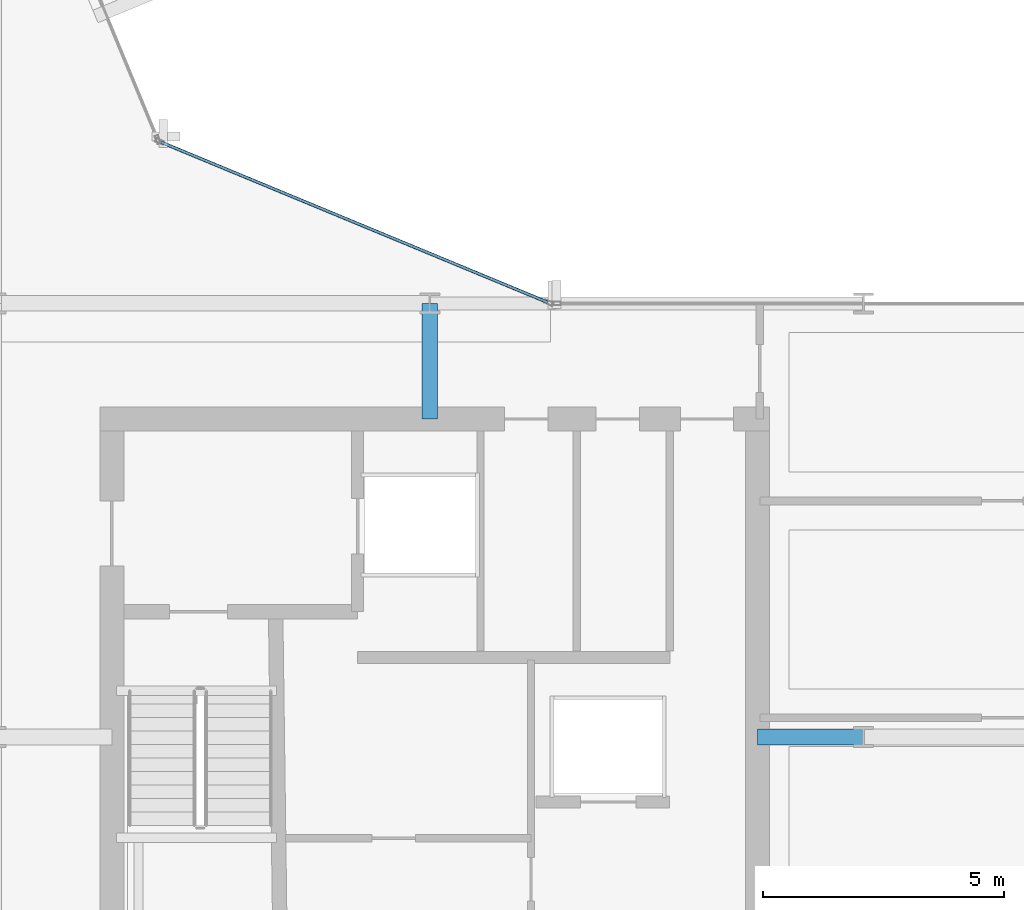
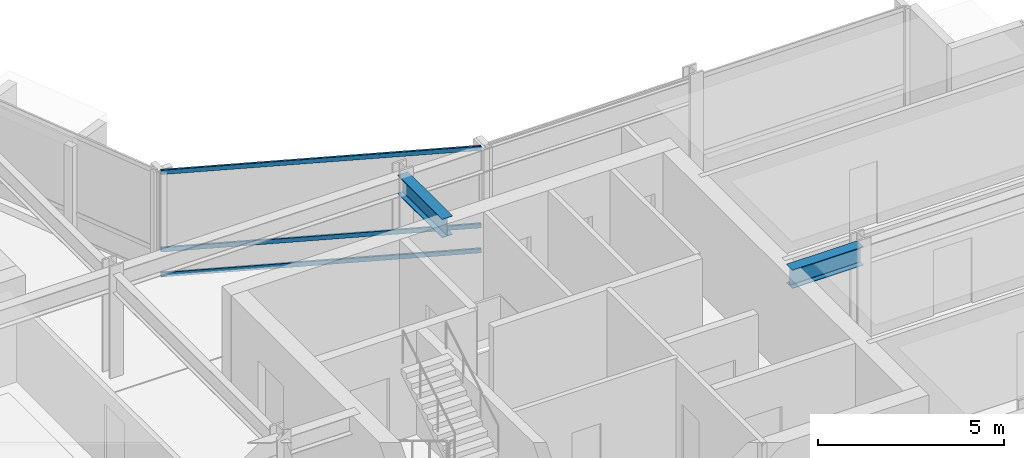
# One storey, part 12 of 29: 3 members, 2 beams, 1 element without a shape of its own.
"""IFC4 building model written with IfcOpenShell, lengths in metres."""

from ifc_helpers import new_model, si_unit, direction, frame, origin, origin_2d, place, context, subcontext, project, spatial, hollow_rectangle, i_section, extrude, material, layer, layer_set, material_profile, profile_set, type_object, element, aggregate, save


model = new_model("IFC4")

# Units and contexts
model_context = context("Model", 3, precision=1e-05, world=origin(), true_north=direction((0.0, 1.0)))
body_context = subcontext(model_context, "Body", "Model", "MODEL_VIEW")
ifc_project = project(units=[si_unit("LENGTHUNIT", "METRE"), si_unit("AREAUNIT", "SQUARE_METRE"), si_unit("VOLUMEUNIT", "CUBIC_METRE"), si_unit("PLANEANGLEUNIT", "RADIAN"), si_unit("MASSUNIT", "GRAM", prefix="KILO")], contexts=[model_context])

# Site, building, storey
site_placement = place(None, origin())
site = spatial("IfcSite", under=ifc_project, at=site_placement, CompositionType="ELEMENT")
building_placement = place(site_placement, origin())
building = spatial("IfcBuilding", under=site, at=building_placement, Name="Solvaryn Broadcast Tower", CompositionType="ELEMENT")
storey_placement = place(building_placement, frame((0.0, 0.0, 143.300048828125)))
storey = spatial("IfcBuildingStorey", under=building, at=storey_placement, Name="L35", CompositionType="ELEMENT", Elevation=143.300048828125)

# Beams
ifc_material_1 = material(Name="Steel ASTM A992 Grade 50", Category="steel")
ifc_material_profile_1 = material_profile(ifc_material_1, i_section(OverallWidth=0.323974609375, OverallDepth=0.611083984375, WebThickness=0.0126953125, FlangeThickness=0.01904296875, FilletRadius=0.014892578125, at=origin_2d()))
ifc_profile_set_1 = profile_set([ifc_material_profile_1], Name="Steel ASTM A992 Grade 50")
beam_type = type_object("IfcBeamType", Name="BM-B1-W24X104", PredefinedType="BEAM", material=ifc_profile_set_1)
beam_1_placement = place(storey_placement, frame((36.0, 24.60009765625, 3.114501953125), z_axis=(0.0, 1.0, 0.0), x_axis=(-1.0, 0.0, 0.0)))
element("IfcBeam", 1, at=beam_1_placement, inside=storey, type_object=beam_type, Name="L35 Core Tie Beam CTE2", PredefinedType="BEAM", context=body_context, shape_type="SweptSolid", body=[
    extrude(i_section(OverallWidth=0.323974609375, OverallDepth=0.611083984375, WebThickness=0.0126953125, FlangeThickness=0.01904296875, FilletRadius=0.014892578125, at=origin_2d()), origin(), (0.0, 0.0, 1.0), 2.39990234375),
])
beam_2_placement = place(storey_placement, frame((42.800048828125, 18.0, 3.114501953125), z_axis=(1.0, 0.0, 0.0), x_axis=(0.0, 1.0, 0.0)))
element("IfcBeam", 2, at=beam_2_placement, inside=storey, type_object=beam_type, Name="L35 Core Tie Beam CTE3", PredefinedType="BEAM", context=body_context, shape_type="SweptSolid", body=[
    extrude(i_section(OverallWidth=0.323974609375, OverallDepth=0.611083984375, WebThickness=0.0126953125, FlangeThickness=0.01904296875, FilletRadius=0.014892578125, at=origin_2d()), origin(), (0.0, 0.0, 1.0), 2.199951171875),
])

# Curtain wall, members
ifc_material_2 = material(Name="Aluminium and Terracotta Unitised Curtain Wall", Category="masonry")
ifc_layer = layer(ifc_material_2, 0.199951171875)
ifc_layer_set = layer_set([ifc_layer], Name="CW-SYS2-LOWMID")
curtain_wall_type = type_object("IfcCurtainWallType", Name="CW-SYS2-LOWMID", PredefinedType="NOTDEFINED", material=ifc_layer_set)
curtain_wall_placement = place(storey_placement, origin())
curtain_wall = element("IfcCurtainWall", 3, at=curtain_wall_placement, inside=storey, type_object=curtain_wall_type, Name="L35 Curtain Wall CN1", PredefinedType="NOTDEFINED")
ifc_material_3 = material(Name="Anodised Aluminium 6063-T6", Category="aluminium")
ifc_material_profile_2 = material_profile(ifc_material_3, hollow_rectangle(XDim=0.06494140625, YDim=0.14990234375, WallThickness=0.00390625, InnerFilletRadius=0.00390625, OuterFilletRadius=0.008056640625, at=origin_2d()))
ifc_profile_set_2 = profile_set([ifc_material_profile_2], Name="Anodised Aluminium 6063-T6")
member_type = type_object("IfcMemberType", Name="CW-TRN-150", PredefinedType="USERDEFINED", material=ifc_profile_set_2)
member_1_placement = place(storey_placement, frame((38.444580078125, 27.02294921875, 0.030029296875), z_axis=(-0.923899282177, 0.382635748975, 0.0), x_axis=(-0.382635748975, -0.923899282177, 0.0)))
member_1 = element("IfcMember", 4, at=member_1_placement, type_object=member_type, Name="CWS2 transom 1.1", ObjectType="TRANSOM", PredefinedType="USERDEFINED", context=body_context, shape_type="SweptSolid", body=[
    extrude(hollow_rectangle(XDim=0.06494140625, YDim=0.14990234375, WallThickness=0.00390625, InnerFilletRadius=0.00390625, OuterFilletRadius=0.008056640625, at=origin_2d()), origin(), (0.0, 0.0, 1.0), 8.681884765625),
])
member_2_placement = place(storey_placement, frame((38.444580078125, 27.02294921875, 0.849853515625), z_axis=(-0.923899282177, 0.382635748975, 0.0), x_axis=(-0.382635748975, -0.923899282177, 0.0)))
member_2 = element("IfcMember", 5, at=member_2_placement, type_object=member_type, Name="CWS2 transom 1.2", ObjectType="TRANSOM", PredefinedType="USERDEFINED", context=body_context, shape_type="SweptSolid", body=[
    extrude(hollow_rectangle(XDim=0.06494140625, YDim=0.14990234375, WallThickness=0.00390625, InnerFilletRadius=0.00390625, OuterFilletRadius=0.008056640625, at=origin_2d()), origin(), (0.0, 0.0, 1.0), 8.681884765625),
])
member_3_placement = place(storey_placement, frame((38.444580078125, 27.02294921875, 3.389892578125), z_axis=(-0.923899282177, 0.382635748975, 0.0), x_axis=(-0.382635748975, -0.923899282177, 0.0)))
member_3 = element("IfcMember", 6, at=member_3_placement, type_object=member_type, Name="CWS2 transom 1.3", ObjectType="TRANSOM", PredefinedType="USERDEFINED", context=body_context, shape_type="SweptSolid", body=[
    extrude(hollow_rectangle(XDim=0.06494140625, YDim=0.14990234375, WallThickness=0.00390625, InnerFilletRadius=0.00390625, OuterFilletRadius=0.008056640625, at=origin_2d()), origin(), (0.0, 0.0, 1.0), 8.681884765625),
])
aggregate(curtain_wall, [member_1, member_2, member_3])

save(model, "model.ifc")
